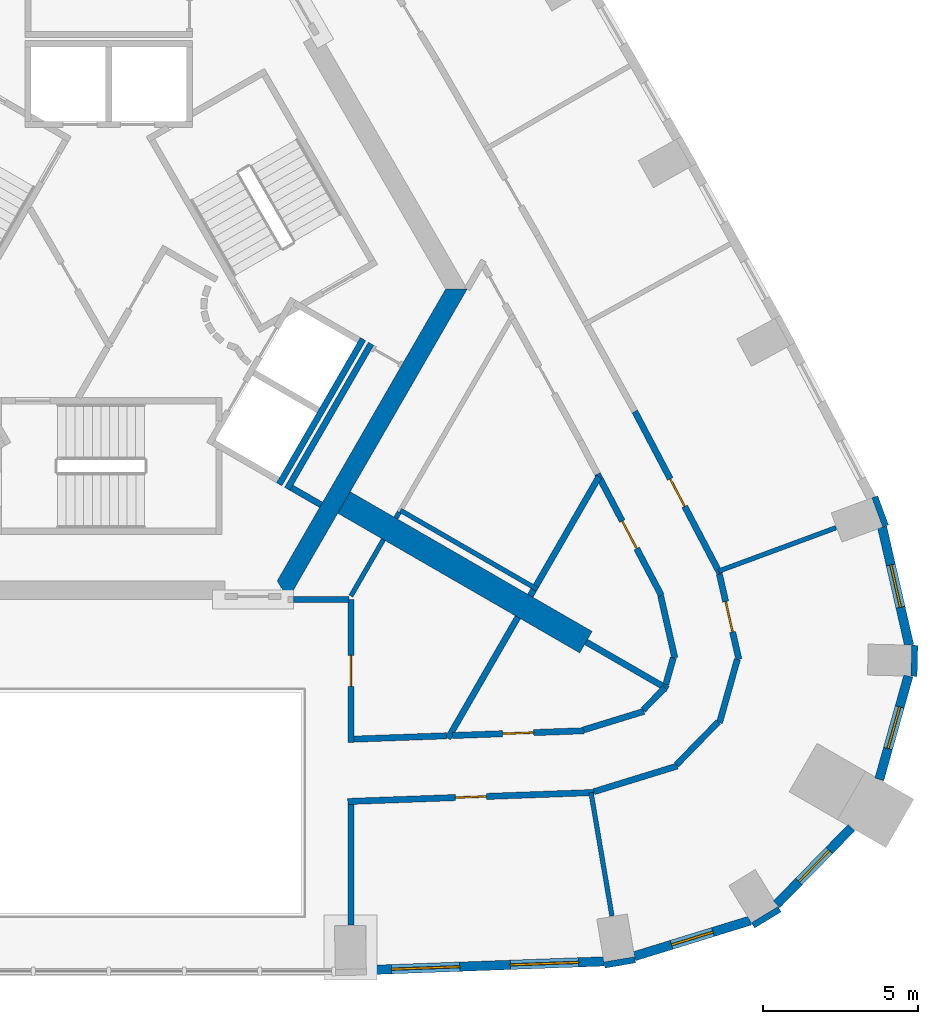
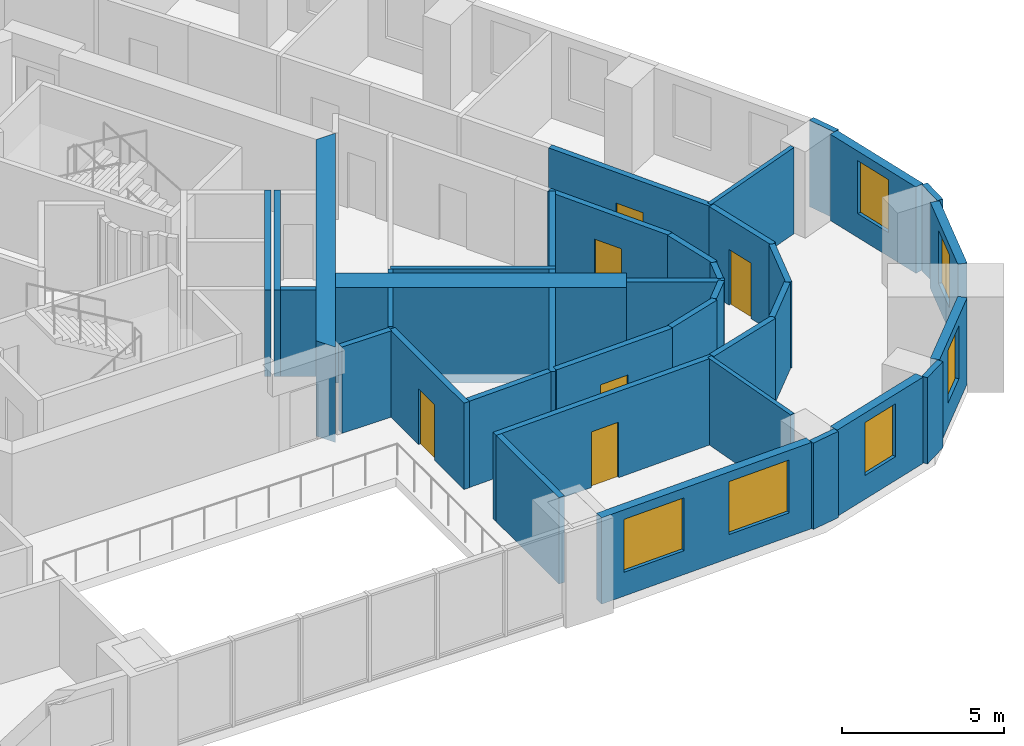
# One storey, part 6 of 10: 39 walls, 6 doors, 6 windows, 12 openings.
"""IFC4 building model written with IfcOpenShell, lengths in metres."""

from ifc_helpers import new_model, si_unit, direction, frame, frame_2d, origin, place, context, subcontext, project, spatial, polyline, rectangle, outline, extrude, material, layer, layer_set, type_object, element, fill, save


model = new_model("IFC4")

# Units and contexts
model_context = context("Model", 3, precision=1e-05, world=origin(), true_north=direction((0.0, 1.0)))
body_context = subcontext(model_context, "Body", "Model", "MODEL_VIEW")
ifc_project = project(units=[si_unit("LENGTHUNIT", "METRE"), si_unit("AREAUNIT", "SQUARE_METRE"), si_unit("VOLUMEUNIT", "CUBIC_METRE"), si_unit("PLANEANGLEUNIT", "RADIAN"), si_unit("MASSUNIT", "GRAM", prefix="KILO")], contexts=[model_context])

# Site, building, storey
site_placement = place(None, origin())
site = spatial("IfcSite", under=ifc_project, at=site_placement, CompositionType="ELEMENT")
building_placement = place(site_placement, origin())
building = spatial("IfcBuilding", under=site, at=building_placement, Name="Entoto Arch Interchange Tower", CompositionType="ELEMENT")
storey_placement = place(building_placement, frame((0.0, 0.0, 245.0)))
storey = spatial("IfcBuildingStorey", under=building, at=storey_placement, Name="L55", CompositionType="ELEMENT", Elevation=245.0)

# Walls
ifc_material_1 = material(Name="Concrete C40/50", Category="concrete")
ifc_layer_1 = layer(ifc_material_1, 0.800048828125)
ifc_layer_set_1 = layer_set([ifc_layer_1], Name="Concrete C40/50")
wall_type_1 = type_object("IfcWallType", Name="Buttress wall 800 C40/50", PredefinedType="SHEAR", material=ifc_layer_set_1)
wall_1_placement = place(storey_placement, frame((7.577880859375, -4.375, -0.340087890625), z_axis=(0.0, 0.0, 1.0), x_axis=(0.866024315419, -0.5000018851, 0.0)))
element("IfcWall", 1, at=wall_1_placement, inside=storey, type_object=wall_type_1, Name="Buttress wall SE L55", PredefinedType="SHEAR", context=body_context, shape_type="SweptSolid", body=[
    extrude(rectangle(XDim=9.0, YDim=0.800048828125, at=frame_2d((4.5, 0.0))), origin(), (0.0, 0.0, 1.0), 3.60009765625),
])
ifc_layer_2 = layer(ifc_material_1, 0.60009765625)
ifc_layer_set_2 = layer_set([ifc_layer_2], Name="Concrete C40/50")
wall_type_2 = type_object("IfcWallType", Name="Core wall 600 C40/50", PredefinedType="SHEAR", material=ifc_layer_set_2)
wall_2_placement = place(storey_placement, frame((0.0, 0.0, -0.340087890625)))
element("IfcWall", 2, at=wall_2_placement, inside=storey, type_object=wall_type_2, Name="Core wall SE L55", PredefinedType="SHEAR", context=body_context, shape_type="SweptSolid", body=[
    extrude(outline(polyline([(5.77392578125, -7.5), (11.547119140625, 2.5), (10.85400390625, 2.5), (5.427001953125, -6.89990234375), (5.77392578125, -7.5)])), origin(), (0.0, 0.0, 1.0), 3.60009765625),
])
ifc_layer_3 = layer(ifc_material_1, 0.199951171875)
ifc_layer_set_3 = layer_set([ifc_layer_3], Name="Concrete C40/50")
wall_type_3 = type_object("IfcWallType", Name="LIFT SHAFT WALL 200", PredefinedType="STANDARD", material=ifc_layer_set_3)
wall_3_placement = place(storey_placement, frame((5.491943359375, -3.7880859375, 0.0), z_axis=(0.0, 0.0, 1.0), x_axis=(0.500034260056, 0.866005622828, 0.0)))
element("IfcWall", 3, at=wall_3_placement, inside=storey, type_object=wall_type_3, Name="Shaft wall SE1 back", PredefinedType="STANDARD", context=body_context, shape_type="SweptSolid", body=[
    extrude(rectangle(XDim=5.3994140625, YDim=0.199951171875, at=frame_2d((2.69970703125, 0.0))), origin(), (0.0, 0.0, 1.0), 3.260009765625),
])
ifc_material_2 = material(Name="Gypsum board partition on steel studs", Category="steel")
ifc_layer_4 = layer(ifc_material_2, 0.14990234375)
ifc_layer_set_4 = layer_set([ifc_layer_4], Name="Gypsum board partition on steel studs")
wall_type_4 = type_object("IfcWallType", Name="PARTITION 150", PredefinedType="PARTITIONING", material=ifc_layer_set_4)
wall_4_placement = place(storey_placement, frame((7.800048828125, -7.389892578125, 0.0), z_axis=(0.0, 0.0, 1.0), x_axis=(0.499977374825, 0.866038466041, 0.0)))
element("IfcWall", 4, at=wall_4_placement, inside=storey, type_object=wall_type_4, Name="wall:L55:p073", PredefinedType="PARTITIONING", context=body_context, shape_type="SweptSolid", body=[
    extrude(rectangle(XDim=2.10009765625, YDim=0.14990234375, at=frame_2d((1.050048828125, 0.0))), origin(), (0.0, 0.0, 1.0), 3.260009765625),
])
wall_5_placement = place(storey_placement, frame((9.39501953125, -4.626953125, 0.0), z_axis=(0.0, 0.0, 1.0), x_axis=(0.866034131428, -0.499984882974, 0.0)))
element("IfcWall", 5, at=wall_5_placement, inside=storey, type_object=wall_type_4, Name="wall:L55:p091", PredefinedType="PARTITIONING", context=body_context, shape_type="SweptSolid", body=[
    extrude(rectangle(XDim=5.100341796875, YDim=0.14990234375, at=frame_2d((2.55029296875, 0.0))), origin(), (0.0, 0.0, 1.0), 3.260009765625),
])
wall_6_placement = place(storey_placement, frame((15.537109375, -13.721923828125, 0.0), z_axis=(0.0, 0.0, 1.0), x_axis=(0.167012380144, -0.985954798598, 0.0)))
element("IfcWall", 6, at=wall_6_placement, inside=storey, type_object=wall_type_4, Name="wall:L55:p103", PredefinedType="PARTITIONING", context=body_context, shape_type="SweptSolid", body=[
    extrude(rectangle(XDim=4.02880859375, YDim=0.14990234375, at=frame_2d((2.014404296875, 0.0))), origin(), (0.0, 0.0, 1.0), 3.260009765625),
])
wall_7_placement = place(storey_placement, frame((19.64892578125, -6.5859375, 0.0), z_axis=(0.0, 0.0, 1.0), x_axis=(0.937935790958, 0.346808956114, 0.0)))
element("IfcWall", 7, at=wall_7_placement, inside=storey, type_object=wall_type_4, Name="wall:L55:p104", PredefinedType="PARTITIONING", context=body_context, shape_type="SweptSolid", body=[
    extrude(rectangle(XDim=4.028076171875, YDim=0.14990234375, at=frame_2d((2.01416015625, 0.0))), origin(), (0.0, 0.0, 1.0), 3.260009765625),
])
wall_8_placement = place(storey_placement, frame((9.25, -4.87890625, 0.0), z_axis=(0.0, 0.0, 1.0), x_axis=(0.499787711288, 0.866147934042, 0.0)))
element("IfcWall", 8, at=wall_8_placement, inside=storey, type_object=wall_type_4, Name="wall:L55:p073", PredefinedType="PARTITIONING", context=body_context, shape_type="SweptSolid", body=[
    extrude(rectangle(XDim=0.2158203125, YDim=0.14990234375, at=frame_2d((0.10791015625, 0.0))), origin(), (0.0, 0.0, 1.0), 3.260009765625),
])
ifc_layer_5 = layer(ifc_material_2, 0.199951171875)
ifc_layer_set_5 = layer_set([ifc_layer_5], Name="Gypsum board partition on steel studs")
wall_type_5 = type_object("IfcWallType", Name="PARTITION 200", PredefinedType="PARTITIONING", material=ifc_layer_set_5)
wall_9_placement = place(storey_placement, frame((7.89990234375, -11.9990234375, 0.0), z_axis=(0.0, 0.0, 1.0), x_axis=(0.999343711998, 0.036223546064, 0.0)))
element("IfcWall", 9, at=wall_9_placement, inside=storey, type_object=wall_type_5, Name="wall:L55:p013", PredefinedType="PARTITIONING", context=body_context, shape_type="SweptSolid", body=[
    extrude(rectangle(XDim=2.97900390625, YDim=0.199951171875, at=frame_2d((1.489501953125, 0.0))), origin(), (0.0, 0.0, 1.0), 3.260009765625),
])

# Wall, opening, door
wall_10_placement = place(storey_placement, frame((11.076904296875, -11.883056640625, 0.0), z_axis=(0.0, 0.0, 1.0), x_axis=(0.999335333519, 0.036453959732, 0.0)))
wall_10 = element("IfcWall", 10, at=wall_10_placement, inside=storey, type_object=wall_type_5, Name="wall:L55:p016", PredefinedType="PARTITIONING", context=body_context, shape_type="SweptSolid", body=[
    extrude(rectangle(XDim=4.22607421875, YDim=0.199951171875, at=frame_2d((2.113037109375, 0.0))), origin(), (0.0, 0.0, 1.0), 3.260009765625),
])
opening_1_placement = place(wall_10_placement, frame((1.613037109375, 0.0, 0.0)))
opening_1 = element("IfcOpeningElement", 11, at=opening_1_placement, cuts=wall_10, Name="Opening L55-D16", PredefinedType="OPENING", context=body_context, shape_type="SweptSolid", body=[
    extrude(rectangle(XDim=1.0, YDim=2.10009765625, at=frame_2d((0.5, 1.050048828125))), frame((0.0, 0.10986328125, 0.0), z_axis=(0.0, -1.0, 0.0), x_axis=(1.0, 0.0, 0.0)), (0.0, 0.0, 1.0), 0.219970703125),
])
ifc_material_3 = material(Name="Timber door leaf in Steel S235 frame", Category="steel")
door_type = type_object("IfcDoorType", Name="DOOR DS-10 1000x2100", OperationType="SINGLE_SWING_LEFT", PredefinedType="DOOR", material=ifc_material_3)
door_1_placement = place(opening_1_placement, origin())
door_1 = element("IfcDoor", 12, at=door_1_placement, inside=storey, type_object=door_type, Name="door:L55:16", OperationType="SINGLE_SWING_LEFT", OverallHeight=2.10009765625, OverallWidth=1.0, PredefinedType="DOOR", context=body_context, shape_type="SweptSolid", body=[
    extrude(rectangle(XDim=1.0, YDim=2.10009765625, at=frame_2d((0.5, 1.050048828125))), frame((0.0, 0.02490234375, 0.0), z_axis=(0.0, -1.0, 0.0), x_axis=(1.0, 0.0, 0.0)), (0.0, 0.0, 1.0), 0.050048828125),
])
fill(opening_1, door_1)

# Walls
wall_11_placement = place(storey_placement, frame((15.294921875, -11.702880859375, 0.0), z_axis=(0.0, 0.0, 1.0), x_axis=(0.95563113363, 0.294566013716, 0.0)))
element("IfcWall", 13, at=wall_11_placement, inside=storey, type_object=wall_type_5, Name="wall:L55:p017", PredefinedType="PARTITIONING", context=body_context, shape_type="SweptSolid", body=[
    extrude(rectangle(XDim=2.036376953125, YDim=0.199951171875, at=frame_2d((1.01806640625, 0.0))), origin(), (0.0, 0.0, 1.0), 3.260009765625),
])
wall_12_placement = place(storey_placement, frame((17.215087890625, -11.06103515625, 0.0), z_axis=(0.0, 0.0, 1.0), x_axis=(0.698527813511, 0.715582904877, 0.0)))
element("IfcWall", 14, at=wall_12_placement, inside=storey, type_object=wall_type_5, Name="wall:L55:p018", PredefinedType="PARTITIONING", context=body_context, shape_type="SweptSolid", body=[
    extrude(rectangle(XDim=1.001953125, YDim=0.199951171875, at=frame_2d((0.5009765625, 0.0))), origin(), (0.0, 0.0, 1.0), 3.260009765625),
])
wall_13_placement = place(storey_placement, frame((17.945068359375, -10.238037109375, 0.0), z_axis=(0.0, 0.0, 1.0), x_axis=(0.270785141481, 0.962639811743, 0.0)))
element("IfcWall", 15, at=wall_13_placement, inside=storey, type_object=wall_type_5, Name="wall:L55:p019", PredefinedType="PARTITIONING", context=body_context, shape_type="SweptSolid", body=[
    extrude(rectangle(XDim=0.8935546875, YDim=0.199951171875, at=frame_2d((0.44677734375, 0.0))), origin(), (0.0, 0.0, 1.0), 3.260009765625),
])
wall_14_placement = place(storey_placement, frame((18.236083984375, -9.37890625, 0.0), z_axis=(0.0, 0.0, 1.0), x_axis=(-0.222760041204, 0.974873306662, 0.0)))
element("IfcWall", 16, at=wall_14_placement, inside=storey, type_object=wall_type_5, Name="wall:L55:p020", PredefinedType="PARTITIONING", context=body_context, shape_type="SweptSolid", body=[
    extrude(rectangle(XDim=2.04736328125, YDim=0.199951171875, at=frame_2d((1.023681640625, 0.0))), origin(), (0.0, 0.0, 1.0), 3.260009765625),
])

# Wall, opening, door
wall_15_placement = place(storey_placement, frame((17.803955078125, -7.3740234375, 0.0), z_axis=(0.0, 0.0, 1.0), x_axis=(-0.465179971699, 0.885216128372, 0.0)))
wall_15 = element("IfcWall", 17, at=wall_15_placement, inside=storey, type_object=wall_type_5, Name="wall:L55:p021", PredefinedType="PARTITIONING", context=body_context, shape_type="SweptSolid", body=[
    extrude(rectangle(XDim=4.423828125, YDim=0.199951171875, at=frame_2d((2.2119140625, 0.0))), origin(), (0.0, 0.0, 1.0), 3.260009765625),
])
opening_2_placement = place(wall_15_placement, frame((1.7119140625, 0.0, 0.0)))
opening_2 = element("IfcOpeningElement", 18, at=opening_2_placement, cuts=wall_15, Name="Opening L55-D17", PredefinedType="OPENING", context=body_context, shape_type="SweptSolid", body=[
    extrude(rectangle(XDim=1.0, YDim=2.10009765625, at=frame_2d((0.5, 1.050048828125))), frame((0.0, 0.10986328125, 0.0), z_axis=(0.0, -1.0, 0.0), x_axis=(1.0, 0.0, 0.0)), (0.0, 0.0, 1.0), 0.219970703125),
])
door_2_placement = place(opening_2_placement, origin())
door_2 = element("IfcDoor", 19, at=door_2_placement, inside=storey, type_object=door_type, Name="door:L55:17", OperationType="SINGLE_SWING_LEFT", OverallHeight=2.10009765625, OverallWidth=1.0, PredefinedType="DOOR", context=body_context, shape_type="SweptSolid", body=[
    extrude(rectangle(XDim=1.0, YDim=2.10009765625, at=frame_2d((0.5, 1.050048828125))), frame((0.0, 0.02490234375, 0.0), z_axis=(0.0, -1.0, 0.0), x_axis=(1.0, 0.0, 0.0)), (0.0, 0.0, 1.0), 0.050048828125),
])
fill(opening_2, door_2)

wall_16_placement = place(storey_placement, frame((15.635986328125, -13.718017578125, 0.0), z_axis=(0.0, 0.0, 1.0), x_axis=(-0.99933282306, -0.036522715615, 0.0)))
wall_16 = element("IfcWall", 20, at=wall_16_placement, inside=storey, type_object=wall_type_5, Name="wall:L55:p034", PredefinedType="PARTITIONING", context=body_context, shape_type="SweptSolid", body=[
    extrude(rectangle(XDim=7.94140625, YDim=0.199951171875, at=frame_2d((3.970703125, 0.0))), origin(), (0.0, 0.0, 1.0), 3.260009765625),
])
opening_3_placement = place(wall_16_placement, frame((3.470947265625, 0.0, 0.0)))
opening_3 = element("IfcOpeningElement", 21, at=opening_3_placement, cuts=wall_16, Name="Opening L55-D01", PredefinedType="OPENING", context=body_context, shape_type="SweptSolid", body=[
    extrude(rectangle(XDim=1.0, YDim=2.10009765625, at=frame_2d((0.5, 1.050048828125))), frame((0.0, 0.10986328125, 0.0), z_axis=(0.0, -1.0, 0.0), x_axis=(1.0, 0.0, 0.0)), (0.0, 0.0, 1.0), 0.219970703125),
])
door_3_placement = place(opening_3_placement, origin())
door_3 = element("IfcDoor", 22, at=door_3_placement, inside=storey, type_object=door_type, Name="door:L55:01", OperationType="SINGLE_SWING_RIGHT", OverallHeight=2.10009765625, OverallWidth=1.0, PredefinedType="DOOR", context=body_context, shape_type="SweptSolid", body=[
    extrude(rectangle(XDim=1.0, YDim=2.10009765625, at=frame_2d((0.5, 1.050048828125))), frame((0.0, 0.02490234375, 0.0), z_axis=(0.0, -1.0, 0.0), x_axis=(1.0, 0.0, 0.0)), (0.0, 0.0, 1.0), 0.050048828125),
])
fill(opening_3, door_3)

wall_17_placement = place(storey_placement, frame((19.672119140625, -6.68310546875, 0.0), z_axis=(0.0, 0.0, 1.0), x_axis=(0.222523624687, -0.974927298036, 0.0)))
wall_17 = element("IfcWall", 23, at=wall_17_placement, inside=storey, type_object=wall_type_5, Name="wall:L55:p035", PredefinedType="PARTITIONING", context=body_context, shape_type="SweptSolid", body=[
    extrude(rectangle(XDim=2.8173828125, YDim=0.199951171875, at=frame_2d((1.40869140625, 0.0))), origin(), (0.0, 0.0, 1.0), 3.260009765625),
])
opening_4_placement = place(wall_17_placement, frame((0.908935546875, 0.0, 0.0)))
opening_4 = element("IfcOpeningElement", 24, at=opening_4_placement, cuts=wall_17, Name="Opening L55-D02", PredefinedType="OPENING", context=body_context, shape_type="SweptSolid", body=[
    extrude(rectangle(XDim=1.0, YDim=2.10009765625, at=frame_2d((0.5, 1.050048828125))), frame((0.0, 0.10986328125, 0.0), z_axis=(0.0, -1.0, 0.0), x_axis=(1.0, 0.0, 0.0)), (0.0, 0.0, 1.0), 0.219970703125),
])
door_4_placement = place(opening_4_placement, origin())
door_4 = element("IfcDoor", 25, at=door_4_placement, inside=storey, type_object=door_type, Name="door:L55:02", OperationType="SINGLE_SWING_LEFT", OverallHeight=2.10009765625, OverallWidth=1.0, PredefinedType="DOOR", context=body_context, shape_type="SweptSolid", body=[
    extrude(rectangle(XDim=1.0, YDim=2.10009765625, at=frame_2d((0.5, 1.050048828125))), frame((0.0, 0.02490234375, 0.0), z_axis=(0.0, -1.0, 0.0), x_axis=(1.0, 0.0, 0.0)), (0.0, 0.0, 1.0), 0.050048828125),
])
fill(opening_4, door_4)

# Walls
wall_18_placement = place(storey_placement, frame((20.25, -9.428955078125, 0.0), z_axis=(0.0, 0.0, 1.0), x_axis=(-0.270905475888, -0.962605954238, 0.0)))
element("IfcWall", 26, at=wall_18_placement, inside=storey, type_object=wall_type_5, Name="wall:L55:p036", PredefinedType="PARTITIONING", context=body_context, shape_type="SweptSolid", body=[
    extrude(rectangle(XDim=2.122314453125, YDim=0.199951171875, at=frame_2d((1.06103515625, 0.0))), origin(), (0.0, 0.0, 1.0), 3.260009765625),
])
wall_19_placement = place(storey_placement, frame((19.633056640625, -11.447021484375, 0.0), z_axis=(0.0, 0.0, 1.0), x_axis=(-0.698477855606, -0.715631668687, 0.0)))
element("IfcWall", 27, at=wall_19_placement, inside=storey, type_object=wall_type_5, Name="wall:L55:p037", PredefinedType="PARTITIONING", context=body_context, shape_type="SweptSolid", body=[
    extrude(rectangle(XDim=1.92138671875, YDim=0.199951171875, at=frame_2d((0.960693359375, 0.0))), origin(), (0.0, 0.0, 1.0), 3.260009765625),
])
wall_20_placement = place(storey_placement, frame((18.31689453125, -12.864013671875, 0.0), z_axis=(0.0, 0.0, 1.0), x_axis=(-0.955600342663, -0.294665887239, 0.0)))
element("IfcWall", 28, at=wall_20_placement, inside=storey, type_object=wall_type_5, Name="wall:L55:p038", PredefinedType="PARTITIONING", context=body_context, shape_type="SweptSolid", body=[
    extrude(rectangle(XDim=2.8095703125, YDim=0.199951171875, at=frame_2d((1.40478515625, 0.0))), origin(), (0.0, 0.0, 1.0), 3.260009765625),
])

# Wall, opening, door
wall_21_placement = place(storey_placement, frame((16.947021484375, -1.443115234375, 0.0), z_axis=(0.0, 0.0, 1.0), x_axis=(0.465133414481, -0.88524059257, 0.0)))
wall_21 = element("IfcWall", 29, at=wall_21_placement, inside=storey, type_object=wall_type_5, Name="wall:L55:p040", PredefinedType="PARTITIONING", context=body_context, shape_type="SweptSolid", body=[
    extrude(rectangle(XDim=5.91015625, YDim=0.199951171875, at=frame_2d((2.955078125, 0.0))), origin(), (0.0, 0.0, 1.0), 3.260009765625),
])
opening_5_placement = place(wall_21_placement, frame((2.455078125, 0.0, 0.0)))
opening_5 = element("IfcOpeningElement", 30, at=opening_5_placement, cuts=wall_21, Name="Opening L55-D03", PredefinedType="OPENING", context=body_context, shape_type="SweptSolid", body=[
    extrude(rectangle(XDim=1.0, YDim=2.10009765625, at=frame_2d((0.5, 1.050048828125))), frame((0.0, 0.10986328125, 0.0), z_axis=(0.0, -1.0, 0.0), x_axis=(1.0, 0.0, 0.0)), (0.0, 0.0, 1.0), 0.219970703125),
])
door_5_placement = place(opening_5_placement, origin())
door_5 = element("IfcDoor", 31, at=door_5_placement, inside=storey, type_object=door_type, Name="door:L55:03", OperationType="SINGLE_SWING_LEFT", OverallHeight=2.10009765625, OverallWidth=1.0, PredefinedType="DOOR", context=body_context, shape_type="SweptSolid", body=[
    extrude(rectangle(XDim=1.0, YDim=2.10009765625, at=frame_2d((0.5, 1.050048828125))), frame((0.0, 0.02490234375, 0.0), z_axis=(0.0, -1.0, 0.0), x_axis=(1.0, 0.0, 0.0)), (0.0, 0.0, 1.0), 0.050048828125),
])
fill(opening_5, door_5)

# Walls
wall_22_placement = place(storey_placement, frame((5.7509765625, -3.93798828125, 0.0), z_axis=(0.0, 0.0, 1.0), x_axis=(0.500034260056, 0.866005622828, 0.0)))
element("IfcWall", 32, at=wall_22_placement, inside=storey, type_object=wall_type_5, Name="wall:L55:p065", PredefinedType="PARTITIONING", context=body_context, shape_type="SweptSolid", body=[
    extrude(rectangle(XDim=5.3994140625, YDim=0.199951171875, at=frame_2d((2.69970703125, 0.0))), origin(), (0.0, 0.0, 1.0), 3.260009765625),
])
wall_23_placement = place(storey_placement, frame((6.841064453125, -4.451904296875, 0.0), z_axis=(0.0, 0.0, 1.0), x_axis=(-0.86621513555, 0.499671230855, 0.0)))
element("IfcWall", 33, at=wall_23_placement, inside=storey, type_object=wall_type_5, Name="wall:L55:p067", PredefinedType="PARTITIONING", context=body_context, shape_type="SweptSolid", body=[
    extrude(rectangle(XDim=1.100341796875, YDim=0.199951171875, at=frame_2d((0.55029296875, 0.0))), origin(), (0.0, 0.0, 1.0), 3.260009765625),
])

# Wall, opening, door
wall_24_placement = place(storey_placement, frame((7.800048828125, -7.4990234375, 0.0), z_axis=(0.0, 0.0, 1.0), x_axis=(0.0, -1.0, 0.0)))
wall_24 = element("IfcWall", 34, at=wall_24_placement, inside=storey, type_object=wall_type_5, Name="wall:L55:p087", PredefinedType="PARTITIONING", context=body_context, shape_type="SweptSolid", body=[
    extrude(rectangle(XDim=4.60400390625, YDim=0.199951171875, at=frame_2d((2.302001953125, 0.0))), origin(), (0.0, 0.0, 1.0), 3.260009765625),
])
opening_6_placement = place(wall_24_placement, frame((1.802001953125, 0.0, 0.0)))
opening_6 = element("IfcOpeningElement", 35, at=opening_6_placement, cuts=wall_24, Name="Opening L55-D14", PredefinedType="OPENING", context=body_context, shape_type="SweptSolid", body=[
    extrude(rectangle(XDim=1.0, YDim=2.10009765625, at=frame_2d((0.5, 1.050048828125))), frame((0.0, 0.10986328125, 0.0), z_axis=(0.0, -1.0, 0.0), x_axis=(1.0, 0.0, 0.0)), (0.0, 0.0, 1.0), 0.219970703125),
])
door_6_placement = place(opening_6_placement, origin())
door_6 = element("IfcDoor", 36, at=door_6_placement, inside=storey, type_object=door_type, Name="door:L55:14", OperationType="SINGLE_SWING_LEFT", OverallHeight=2.10009765625, OverallWidth=1.0, PredefinedType="DOOR", context=body_context, shape_type="SweptSolid", body=[
    extrude(rectangle(XDim=1.0, YDim=2.10009765625, at=frame_2d((0.5, 1.050048828125))), frame((0.0, 0.02490234375, 0.0), z_axis=(0.0, -1.0, 0.0), x_axis=(1.0, 0.0, 0.0)), (0.0, 0.0, 1.0), 0.050048828125),
])
fill(opening_6, door_6)

# Walls
wall_25_placement = place(storey_placement, frame((7.800048828125, -14.10400390625, 0.0), z_axis=(0.0, 0.0, 1.0), x_axis=(0.0, -1.0, 0.0)))
element("IfcWall", 37, at=wall_25_placement, inside=storey, type_object=wall_type_5, Name="wall:L55:p089", PredefinedType="PARTITIONING", context=body_context, shape_type="SweptSolid", body=[
    extrude(rectangle(XDim=3.884033203125, YDim=0.199951171875, at=frame_2d((1.94189453125, 0.0))), origin(), (0.0, 0.0, 1.0), 3.260009765625),
])
wall_26_placement = place(storey_placement, frame((13.179931640625, -8.071044921875, 0.0), z_axis=(0.0, 0.0, 1.0), x_axis=(-0.499914724673, -0.86607463192, 0.0)))
element("IfcWall", 38, at=wall_26_placement, inside=storey, type_object=wall_type_5, Name="wall:L55:p092", PredefinedType="PARTITIONING", context=body_context, shape_type="SweptSolid", body=[
    extrude(rectangle(XDim=4.506591796875, YDim=0.199951171875, at=frame_2d((2.25341796875, 0.0))), origin(), (0.0, 0.0, 1.0), 3.260009765625),
])
wall_27_placement = place(storey_placement, frame((13.68798828125, -7.19189453125, 0.0), z_axis=(0.0, 0.0, 1.0), x_axis=(-0.499787711288, -0.866147934042, 0.0)))
element("IfcWall", 39, at=wall_27_placement, inside=storey, type_object=wall_type_5, Name="wall:L55:p093", PredefinedType="PARTITIONING", context=body_context, shape_type="SweptSolid", body=[
    extrude(rectangle(XDim=0.2158203125, YDim=0.199951171875, at=frame_2d((0.10791015625, 0.0))), origin(), (0.0, 0.0, 1.0), 3.260009765625),
])
wall_28_placement = place(storey_placement, frame((15.79296875, -3.5458984375, 0.0), z_axis=(0.0, 0.0, 1.0), x_axis=(-0.500000064182, -0.866025366729, 0.0)))
element("IfcWall", 40, at=wall_28_placement, inside=storey, type_object=wall_type_5, Name="wall:L55:p094", PredefinedType="PARTITIONING", context=body_context, shape_type="SweptSolid", body=[
    extrude(rectangle(XDim=4.06005859375, YDim=0.199951171875, at=frame_2d((2.030029296875, 0.0))), origin(), (0.0, 0.0, 1.0), 3.260009765625),
])
wall_29_placement = place(storey_placement, frame((15.376953125, -8.866943359375, 0.0), z_axis=(0.0, 0.0, 1.0), x_axis=(0.865965767548, -0.500103278768, 0.0)))
element("IfcWall", 41, at=wall_29_placement, inside=storey, type_object=wall_type_5, Name="wall:L55:p095", PredefinedType="PARTITIONING", context=body_context, shape_type="SweptSolid", body=[
    extrude(rectangle(XDim=3.033447265625, YDim=0.199951171875, at=frame_2d((1.5166015625, 0.0))), origin(), (0.0, 0.0, 1.0), 3.260009765625),
])
wall_30_placement = place(storey_placement, frame((5.944091796875, -7.4990234375, 0.0), z_axis=(0.0, 0.0, 1.0), x_axis=(1.0, 0.0, 0.0)))
element("IfcWall", 42, at=wall_30_placement, inside=storey, type_object=wall_type_5, Name="wall:L55:p072", PredefinedType="PARTITIONING", context=body_context, shape_type="SweptSolid", body=[
    extrude(rectangle(XDim=1.79296875, YDim=0.199951171875, at=frame_2d((0.896484375, 0.0))), origin(), (0.0, 0.0, 1.0), 3.260009765625),
])

# Wall, openings, windows
ifc_material_4 = material(Name="Welded tuff (ignimbrite) cladding, warm buff", Category="masonry")
ifc_layer_6 = layer(ifc_material_4, 0.300048828125)
ifc_layer_set_6 = layer_set([ifc_layer_6], Name="Welded tuff (ignimbrite) cladding, warm buff")
wall_type_6 = type_object("IfcWallType", Name="STONE INFILL WALL 300", PredefinedType="STANDARD", material=ifc_layer_set_6)
wall_31_placement = place(storey_placement, frame((8.2958984375, -19.43994140625, 0.0), z_axis=(0.0, 0.0, 1.0), x_axis=(0.999331753125, 0.036551979363, 0.0)))
wall_31 = element("IfcWall", 43, at=wall_31_placement, inside=storey, type_object=wall_type_6, Name="Facade wall S-03 L55", PredefinedType="STANDARD", context=body_context, shape_type="SweptSolid", body=[
    extrude(rectangle(XDim=7.6611328125, YDim=0.300048828125, at=frame_2d((3.83056640625, 0.0))), origin(), (0.0, 0.0, 1.0), 3.260009765625),
])
opening_7_placement = place(wall_31_placement, frame((0.81494140625, 0.0, 0.89990234375)))
opening_7 = element("IfcOpeningElement", 44, at=opening_7_placement, cuts=wall_31, Name="Opening WH-A", PredefinedType="OPENING", context=body_context, shape_type="SweptSolid", body=[
    extrude(rectangle(XDim=2.199951171875, YDim=2.0, at=frame_2d((1.10009765625, 1.0))), frame((0.0, 0.16015625, 0.0), z_axis=(0.0, -1.0, 0.0), x_axis=(1.0, 0.0, 0.0)), (0.0, 0.0, 1.0), 0.320068359375),
])
opening_8_placement = place(wall_31_placement, frame((4.64599609375, 0.0, 0.89990234375)))
opening_8 = element("IfcOpeningElement", 45, at=opening_8_placement, cuts=wall_31, Name="Opening WH-A", PredefinedType="OPENING", context=body_context, shape_type="SweptSolid", body=[
    extrude(rectangle(XDim=2.199951171875, YDim=2.0, at=frame_2d((1.10009765625, 1.0))), frame((0.0, 0.16015625, 0.0), z_axis=(0.0, -1.0, 0.0), x_axis=(1.0, 0.0, 0.0)), (0.0, 0.0, 1.0), 0.320068359375),
])
ifc_material_5 = material(Name="Clear glass, low-e double glazed", Category="glass")
window_type_1 = type_object("IfcWindowType", Name="WINDOW WH-A 2200x2000", PartitioningType="DOUBLE_PANEL_VERTICAL", PredefinedType="WINDOW", material=ifc_material_5)
window_1_placement = place(opening_7_placement, origin())
window_1 = element("IfcWindow", 46, at=window_1_placement, inside=storey, type_object=window_type_1, Name="Window WH-A S-03 L55", OverallHeight=2.0, OverallWidth=2.199951171875, PartitioningType="SINGLE_PANEL", PredefinedType="WINDOW", context=body_context, shape_type="SweptSolid", body=[
    extrude(rectangle(XDim=2.199951171875, YDim=2.0, at=frame_2d((1.10009765625, 1.0))), frame((0.0, 0.030029296875, 0.0), z_axis=(0.0, -1.0, 0.0), x_axis=(1.0, 0.0, 0.0)), (0.0, 0.0, 1.0), 0.06005859375),
])
fill(opening_7, window_1)
window_2_placement = place(opening_8_placement, origin())
window_2 = element("IfcWindow", 47, at=window_2_placement, inside=storey, type_object=window_type_1, Name="Window WH-A S-03 L55", OverallHeight=2.0, OverallWidth=2.199951171875, PartitioningType="SINGLE_PANEL", PredefinedType="WINDOW", context=body_context, shape_type="SweptSolid", body=[
    extrude(rectangle(XDim=2.199951171875, YDim=2.0, at=frame_2d((1.10009765625, 1.0))), frame((0.0, 0.030029296875, 0.0), z_axis=(0.0, -1.0, 0.0), x_axis=(1.0, 0.0, 0.0)), (0.0, 0.0, 1.0), 0.06005859375),
])
fill(opening_8, window_2)

# Wall, opening, window
wall_32_placement = place(storey_placement, frame((16.93603515625, -18.992919921875, 0.0), z_axis=(0.0, 0.0, 1.0), x_axis=(0.955646189569, 0.2945171648, 0.0)))
wall_32 = element("IfcWall", 48, at=wall_32_placement, inside=storey, type_object=wall_type_6, Name="Facade wall SE-01 L55", PredefinedType="STANDARD", context=body_context, shape_type="SweptSolid", body=[
    extrude(rectangle(XDim=3.897705078125, YDim=0.300048828125, at=frame_2d((1.94873046875, 0.0))), origin(), (0.0, 0.0, 1.0), 3.260009765625),
])
opening_9_placement = place(wall_32_placement, frame((1.2490234375, 0.0, 0.89990234375)))
opening_9 = element("IfcOpeningElement", 49, at=opening_9_placement, cuts=wall_32, Name="Opening WH-B", PredefinedType="OPENING", context=body_context, shape_type="SweptSolid", body=[
    extrude(rectangle(XDim=1.39990234375, YDim=2.0, at=frame_2d((0.699951171875, 1.0))), frame((0.0, 0.16015625, 0.0), z_axis=(0.0, -1.0, 0.0), x_axis=(1.0, 0.0, 0.0)), (0.0, 0.0, 1.0), 0.320068359375),
])
window_type_2 = type_object("IfcWindowType", Name="WINDOW WH-B 1400x2000", PartitioningType="DOUBLE_PANEL_VERTICAL", PredefinedType="WINDOW", material=ifc_material_5)
window_3_placement = place(opening_9_placement, origin())
window_3 = element("IfcWindow", 50, at=window_3_placement, inside=storey, type_object=window_type_2, Name="Window WH-B SE-01 L55", OverallHeight=2.0, OverallWidth=1.39990234375, PartitioningType="SINGLE_PANEL", PredefinedType="WINDOW", context=body_context, shape_type="SweptSolid", body=[
    extrude(rectangle(XDim=1.39990234375, YDim=2.0, at=frame_2d((0.699951171875, 1.0))), frame((0.0, 0.030029296875, 0.0), z_axis=(0.0, -1.0, 0.0), x_axis=(1.0, 0.0, 0.0)), (0.0, 0.0, 1.0), 0.06005859375),
])
fill(opening_9, window_3)

wall_33_placement = place(storey_placement, frame((21.512939453125, -17.323974609375, 0.0), z_axis=(0.0, 0.0, 1.0), x_axis=(0.698394514831, 0.715713002294, 0.0)))
wall_33 = element("IfcWall", 51, at=wall_33_placement, inside=storey, type_object=wall_type_6, Name="Facade wall SE-02 L55", PredefinedType="STANDARD", context=body_context, shape_type="SweptSolid", body=[
    extrude(rectangle(XDim=3.453857421875, YDim=0.300048828125, at=frame_2d((1.72705078125, 0.0))), origin(), (0.0, 0.0, 1.0), 3.260009765625),
])
opening_10_placement = place(wall_33_placement, frame((1.027099609375, 0.0, 0.89990234375)))
opening_10 = element("IfcOpeningElement", 52, at=opening_10_placement, cuts=wall_33, Name="Opening WH-B", PredefinedType="OPENING", context=body_context, shape_type="SweptSolid", body=[
    extrude(rectangle(XDim=1.39990234375, YDim=2.0, at=frame_2d((0.699951171875, 1.0))), frame((0.0, 0.16015625, 0.0), z_axis=(0.0, -1.0, 0.0), x_axis=(1.0, 0.0, 0.0)), (0.0, 0.0, 1.0), 0.320068359375),
])
window_4_placement = place(opening_10_placement, origin())
window_4 = element("IfcWindow", 53, at=window_4_placement, inside=storey, type_object=window_type_2, Name="Window WH-B SE-02 L55", OverallHeight=2.0, OverallWidth=1.39990234375, PartitioningType="SINGLE_PANEL", PredefinedType="WINDOW", context=body_context, shape_type="SweptSolid", body=[
    extrude(rectangle(XDim=1.39990234375, YDim=2.0, at=frame_2d((0.699951171875, 1.0))), frame((0.0, 0.030029296875, 0.0), z_axis=(0.0, -1.0, 0.0), x_axis=(1.0, 0.0, 0.0)), (0.0, 0.0, 1.0), 0.06005859375),
])
fill(opening_10, window_4)

wall_34_placement = place(storey_placement, frame((24.823974609375, -13.294921875, 0.0), z_axis=(0.0, 0.0, 1.0), x_axis=(0.270837632743, 0.962625044703, 0.0)))
wall_34 = element("IfcWall", 54, at=wall_34_placement, inside=storey, type_object=wall_type_6, Name="Facade wall SE-03 L55", PredefinedType="STANDARD", context=body_context, shape_type="SweptSolid", body=[
    extrude(rectangle(XDim=3.4560546875, YDim=0.300048828125, at=frame_2d((1.72802734375, 0.0))), origin(), (0.0, 0.0, 1.0), 3.260009765625),
])
opening_11_placement = place(wall_34_placement, frame((1.028076171875, 0.0, 0.89990234375)))
opening_11 = element("IfcOpeningElement", 55, at=opening_11_placement, cuts=wall_34, Name="Opening WH-B", PredefinedType="OPENING", context=body_context, shape_type="SweptSolid", body=[
    extrude(rectangle(XDim=1.39990234375, YDim=2.0, at=frame_2d((0.699951171875, 1.0))), frame((0.0, 0.16015625, 0.0), z_axis=(0.0, -1.0, 0.0), x_axis=(1.0, 0.0, 0.0)), (0.0, 0.0, 1.0), 0.320068359375),
])
window_5_placement = place(opening_11_placement, origin())
window_5 = element("IfcWindow", 56, at=window_5_placement, inside=storey, type_object=window_type_2, Name="Window WH-B SE-03 L55", OverallHeight=2.0, OverallWidth=1.39990234375, PartitioningType="SINGLE_PANEL", PredefinedType="WINDOW", context=body_context, shape_type="SweptSolid", body=[
    extrude(rectangle(XDim=1.39990234375, YDim=2.0, at=frame_2d((0.699951171875, 1.0))), frame((0.0, 0.030029296875, 0.0), z_axis=(0.0, -1.0, 0.0), x_axis=(1.0, 0.0, 0.0)), (0.0, 0.0, 1.0), 0.06005859375),
])
fill(opening_11, window_5)

wall_35_placement = place(storey_placement, frame((25.784912109375, -8.969970703125, 0.0), z_axis=(0.0, 0.0, 1.0), x_axis=(-0.222901327396, 0.974841011778, 0.0)))
wall_35 = element("IfcWall", 57, at=wall_35_placement, inside=storey, type_object=wall_type_6, Name="Facade wall SE-04 L55", PredefinedType="STANDARD", context=body_context, shape_type="SweptSolid", body=[
    extrude(rectangle(XDim=3.898193359375, YDim=0.300048828125, at=frame_2d((1.94921875, 0.0))), origin(), (0.0, 0.0, 1.0), 3.260009765625),
])
opening_12_placement = place(wall_35_placement, frame((1.2490234375, 0.0, 0.89990234375)))
opening_12 = element("IfcOpeningElement", 58, at=opening_12_placement, cuts=wall_35, Name="Opening WH-B", PredefinedType="OPENING", context=body_context, shape_type="SweptSolid", body=[
    extrude(rectangle(XDim=1.39990234375, YDim=2.0, at=frame_2d((0.699951171875, 1.0))), frame((0.0, 0.16015625, 0.0), z_axis=(0.0, -1.0, 0.0), x_axis=(1.0, 0.0, 0.0)), (0.0, 0.0, 1.0), 0.320068359375),
])
window_6_placement = place(opening_12_placement, origin())
window_6 = element("IfcWindow", 59, at=window_6_placement, inside=storey, type_object=window_type_2, Name="Window WH-B SE-04 L55", OverallHeight=2.0, OverallWidth=1.39990234375, PartitioningType="SINGLE_PANEL", PredefinedType="WINDOW", context=body_context, shape_type="SweptSolid", body=[
    extrude(rectangle(XDim=1.39990234375, YDim=2.0, at=frame_2d((0.699951171875, 1.0))), frame((0.0, 0.030029296875, 0.0), z_axis=(0.0, -1.0, 0.0), x_axis=(1.0, 0.0, 0.0)), (0.0, 0.0, 1.0), 0.06005859375),
])
fill(opening_12, window_6)

# Walls
ifc_layer_7 = layer(ifc_material_4, 0.199951171875)
ifc_layer_set_7 = layer_set([ifc_layer_7], Name="Welded tuff (ignimbrite) cladding, warm buff")
wall_type_7 = type_object("IfcWallType", Name="STONE PIER CLADDING 200", PredefinedType="STANDARD", material=ifc_layer_set_7)
wall_36_placement = place(storey_placement, frame((25.02587890625, -5.131103515625, 0.0), z_axis=(0.0, 0.0, 1.0), x_axis=(-0.346892928577, 0.937904737222, 0.0)))
element("IfcWall", 60, at=wall_36_placement, inside=storey, type_object=wall_type_7, Name="Stone pier NE01 L55", PredefinedType="STANDARD", context=body_context, shape_type="SweptSolid", body=[
    extrude(rectangle(XDim=1.0, YDim=0.199951171875, at=frame_2d((0.5, 0.0))), origin(), (0.0, 0.0, 1.0), 3.260009765625),
])
wall_37_placement = place(storey_placement, frame((15.969970703125, -19.27587890625, 0.0), z_axis=(0.0, 0.0, 1.0), x_axis=(0.985961725342, 0.166971483074, 0.0)))
element("IfcWall", 61, at=wall_37_placement, inside=storey, type_object=wall_type_7, Name="Stone pier S04 L55", PredefinedType="STANDARD", context=body_context, shape_type="SweptSolid", body=[
    extrude(rectangle(XDim=1.000244140625, YDim=0.199951171875, at=frame_2d((0.5, 0.0))), origin(), (0.0, 0.0, 1.0), 3.260009765625),
])
wall_38_placement = place(storey_placement, frame((20.7548828125, -18.0, 0.0), z_axis=(0.0, 0.0, 1.0), x_axis=(0.853679739553, 0.520798331677, 0.0)))
element("IfcWall", 62, at=wall_38_placement, inside=storey, type_object=wall_type_7, Name="Stone pier SE1 L55", PredefinedType="STANDARD", context=body_context, shape_type="SweptSolid", body=[
    extrude(rectangle(XDim=1.00048828125, YDim=0.199951171875, at=frame_2d((0.500244140625, 0.0))), origin(), (0.0, 0.0, 1.0), 3.260009765625),
])
wall_39_placement = place(storey_placement, frame((25.94189453125, -9.972900390625, 0.0), z_axis=(0.0, 0.0, 1.0), x_axis=(0.024192379573, 0.999707321555, 0.0)))
element("IfcWall", 63, at=wall_39_placement, inside=storey, type_object=wall_type_7, Name="Stone pier SE3 L55", PredefinedType="STANDARD", context=body_context, shape_type="SweptSolid", body=[
    extrude(rectangle(XDim=0.9990234375, YDim=0.199951171875, at=frame_2d((0.49951171875, 0.0))), origin(), (0.0, 0.0, 1.0), 3.260009765625),
])

save(model, "model.ifc")
